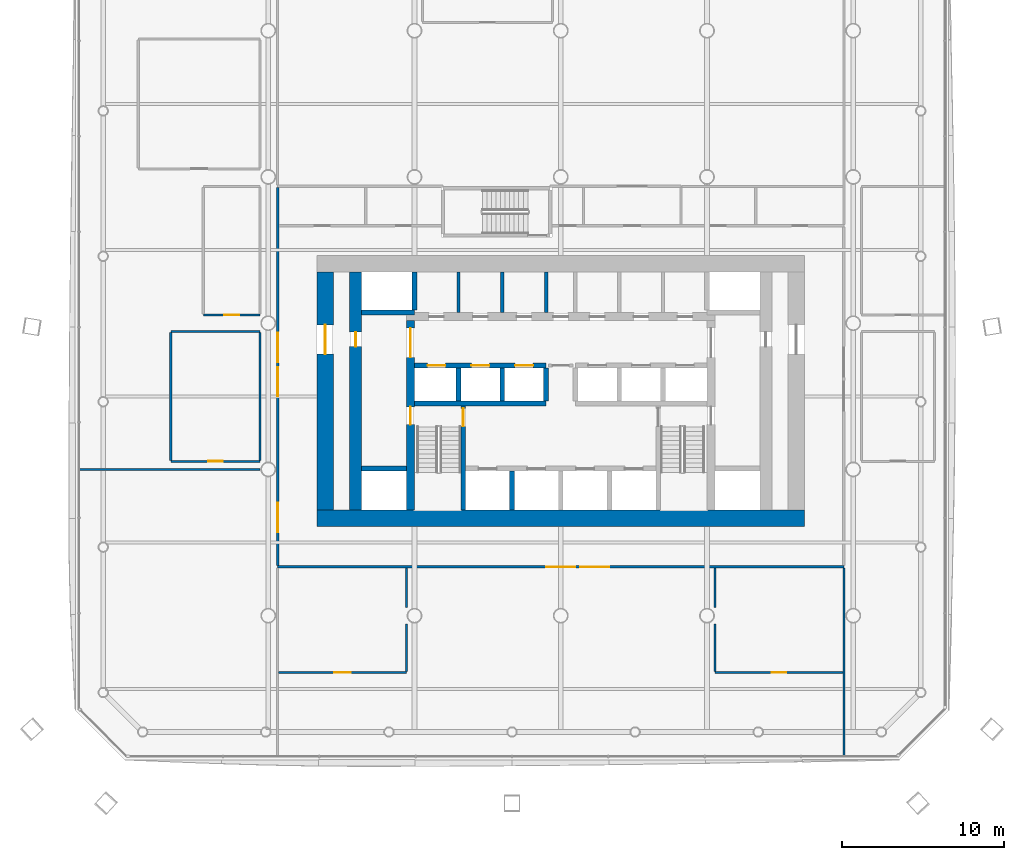
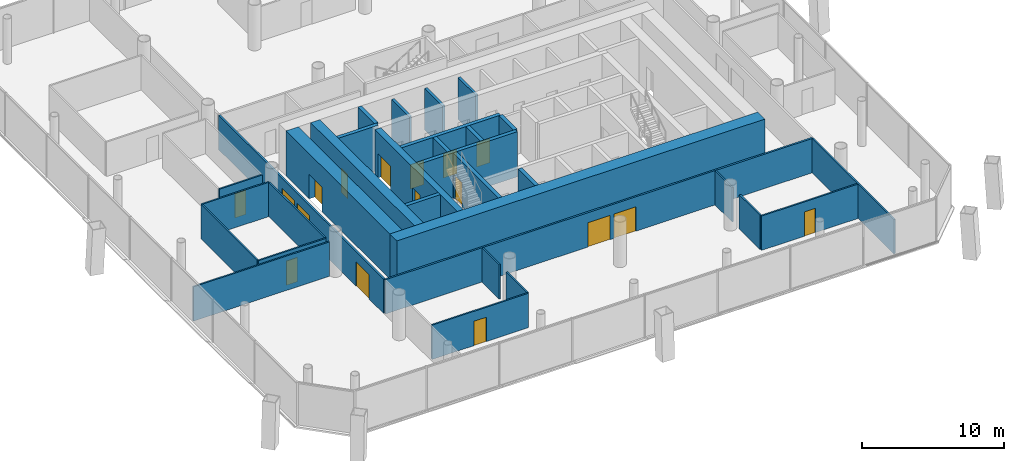
# One storey, part 13 of 21: 32 walls, 17 doors, 17 openings.
"""IFC4 building model written with IfcOpenShell, lengths in metres."""

from ifc_helpers import new_model, si_unit, direction, frame, frame_2d, origin, place, context, subcontext, project, spatial, rectangle, extrude, material, layer, layer_set, type_object, element, fill, save


model = new_model("IFC4")

# Units and contexts
model_context = context("Model", 3, precision=1e-05, world=origin(), true_north=direction((0.0, 1.0)))
body_context = subcontext(model_context, "Body", "Model", "MODEL_VIEW")
ifc_project = project(units=[si_unit("LENGTHUNIT", "METRE"), si_unit("AREAUNIT", "SQUARE_METRE"), si_unit("VOLUMEUNIT", "CUBIC_METRE"), si_unit("PLANEANGLEUNIT", "RADIAN"), si_unit("MASSUNIT", "GRAM", prefix="KILO")], contexts=[model_context])

# Site, building, storey
site_placement = place(None, origin())
site = spatial("IfcSite", under=ifc_project, at=site_placement, CompositionType="ELEMENT")
building_placement = place(site_placement, origin())
building = spatial("IfcBuilding", under=site, at=building_placement, Name="Tskaro Facet Tower", CompositionType="ELEMENT")
storey_placement = place(building_placement, frame((0.0, 0.0, 38.10009765625)))
storey = spatial("IfcBuildingStorey", under=building, at=storey_placement, Name="L08", CompositionType="ELEMENT", Elevation=38.10009765625)

# Walls
ifc_material_1 = material(Name="Concrete C60/75", Category="concrete")
ifc_layer_1 = layer(ifc_material_1, 0.300048828125, Name="Concrete C60/75")
ifc_layer_set_1 = layer_set([ifc_layer_1], Name="Concrete C60/75")
wall_type_1 = type_object("IfcWallType", Name="CORE-SHAFT", PredefinedType="SHEAR", material=ifc_layer_set_1)
wall_1_placement = place(storey_placement, frame((-12.25, -8.949951171875, 0.0), z_axis=(0.0, 0.0, 1.0), x_axis=(1.0, 0.0, 0.0)))
element("IfcWall", 1, at=wall_1_placement, inside=storey, type_object=wall_type_1, Name="Shaft wall W005", PredefinedType="SHEAR", context=body_context, shape_type="SweptSolid", body=[
    extrude(rectangle(XDim=2.75, YDim=0.300048828125, at=frame_2d((1.375, 0.0))), origin(), (0.0, 0.0, 1.0), 3.89990234375),
])
wall_2_placement = place(storey_placement, frame((-9.0, -4.949951171875, 0.0), z_axis=(0.0, 0.0, 1.0), x_axis=(1.0, 0.0, 0.0)))
element("IfcWall", 2, at=wall_2_placement, inside=storey, type_object=wall_type_1, Name="Shaft wall W010", PredefinedType="SHEAR", context=body_context, shape_type="SweptSolid", body=[
    extrude(rectangle(XDim=8.10009765625, YDim=0.300048828125, at=frame_2d((4.050048828125, 0.0))), origin(), (0.0, 0.0, 1.0), 3.89990234375),
])

# Wall, openings, doors
wall_3_placement = place(storey_placement, frame((-9.0, -2.60009765625, 0.0), z_axis=(0.0, 0.0, 1.0), x_axis=(1.0, 0.0, 0.0)))
wall_3 = element("IfcWall", 3, at=wall_3_placement, inside=storey, type_object=wall_type_1, Name="Shaft wall W012", PredefinedType="SHEAR", context=body_context, shape_type="SweptSolid", body=[
    extrude(rectangle(XDim=8.10009765625, YDim=0.300048828125, at=frame_2d((4.050048828125, 0.0))), origin(), (0.0, 0.0, 1.0), 3.89990234375),
])
opening_1_placement = place(wall_3_placement, frame((0.800048828125, 0.0, 0.0)))
opening_1 = element("IfcOpeningElement", 4, at=opening_1_placement, cuts=wall_3, Name="Opening LD-LR1", PredefinedType="OPENING", context=body_context, shape_type="SweptSolid", body=[
    extrude(rectangle(XDim=1.10009765625, YDim=2.10009765625, at=frame_2d((0.550048828125, 1.050048828125))), frame((0.0, 0.159912109375, 0.0), z_axis=(0.0, -1.0, 0.0), x_axis=(1.0, 0.0, 0.0)), (0.0, 0.0, 1.0), 0.320068359375),
])
opening_2_placement = place(wall_3_placement, frame((3.5, 0.0, 0.0)))
opening_2 = element("IfcOpeningElement", 5, at=opening_2_placement, cuts=wall_3, Name="Opening LD-LR2", PredefinedType="OPENING", context=body_context, shape_type="SweptSolid", body=[
    extrude(rectangle(XDim=1.10009765625, YDim=2.10009765625, at=frame_2d((0.550048828125, 1.050048828125))), frame((0.0, 0.159912109375, 0.0), z_axis=(0.0, -1.0, 0.0), x_axis=(1.0, 0.0, 0.0)), (0.0, 0.0, 1.0), 0.320068359375),
])
opening_3_placement = place(wall_3_placement, frame((6.199951171875, 0.0, 0.0)))
opening_3 = element("IfcOpeningElement", 6, at=opening_3_placement, cuts=wall_3, Name="Opening LD-LR3", PredefinedType="OPENING", context=body_context, shape_type="SweptSolid", body=[
    extrude(rectangle(XDim=1.10009765625, YDim=2.10009765625, at=frame_2d((0.550048828125, 1.050048828125))), frame((0.0, 0.159912109375, 0.0), z_axis=(0.0, -1.0, 0.0), x_axis=(1.0, 0.0, 0.0)), (0.0, 0.0, 1.0), 0.320068359375),
])
ifc_material_2 = material(Name="Stainless steel", Category="steel")
door_type_1 = type_object("IfcDoorType", Name="D-LANDING", OperationType="NOTDEFINED", PredefinedType="DOOR", material=ifc_material_2)
door_1_placement = place(opening_1_placement, origin())
door_1 = element("IfcDoor", 7, at=door_1_placement, inside=storey, type_object=door_type_1, Name="Landing door LR1", OperationType="DOUBLE_DOOR_SLIDING", OverallHeight=2.10009765625, OverallWidth=1.10009765625, PredefinedType="DOOR", context=body_context, shape_type="SweptSolid", body=[
    extrude(rectangle(XDim=1.10009765625, YDim=2.10009765625, at=frame_2d((0.550048828125, 1.050048828125))), frame((0.0, 0.02490234375, 0.0), z_axis=(0.0, -1.0, 0.0), x_axis=(1.0, 0.0, 0.0)), (0.0, 0.0, 1.0), 0.050048828125),
])
fill(opening_1, door_1)
door_2_placement = place(opening_2_placement, origin())
door_2 = element("IfcDoor", 8, at=door_2_placement, inside=storey, type_object=door_type_1, Name="Landing door LR2", OperationType="DOUBLE_DOOR_SLIDING", OverallHeight=2.10009765625, OverallWidth=1.10009765625, PredefinedType="DOOR", context=body_context, shape_type="SweptSolid", body=[
    extrude(rectangle(XDim=1.10009765625, YDim=2.10009765625, at=frame_2d((0.550048828125, 1.050048828125))), frame((0.0, 0.02490234375, 0.0), z_axis=(0.0, -1.0, 0.0), x_axis=(1.0, 0.0, 0.0)), (0.0, 0.0, 1.0), 0.050048828125),
])
fill(opening_2, door_2)
door_3_placement = place(opening_3_placement, origin())
door_3 = element("IfcDoor", 9, at=door_3_placement, inside=storey, type_object=door_type_1, Name="Landing door LR3", OperationType="DOUBLE_DOOR_SLIDING", OverallHeight=2.10009765625, OverallWidth=1.10009765625, PredefinedType="DOOR", context=body_context, shape_type="SweptSolid", body=[
    extrude(rectangle(XDim=1.10009765625, YDim=2.10009765625, at=frame_2d((0.550048828125, 1.050048828125))), frame((0.0, 0.02490234375, 0.0), z_axis=(0.0, -1.0, 0.0), x_axis=(1.0, 0.0, 0.0)), (0.0, 0.0, 1.0), 0.050048828125),
])
fill(opening_3, door_3)

# Walls
wall_4_placement = place(storey_placement, frame((-9.0, 0.64990234375, 0.0), z_axis=(0.0, 0.0, 1.0), x_axis=(-1.0, 0.0, 0.0)))
element("IfcWall", 10, at=wall_4_placement, inside=storey, type_object=wall_type_1, Name="Shaft wall W019", PredefinedType="SHEAR", context=body_context, shape_type="SweptSolid", body=[
    extrude(rectangle(XDim=3.25, YDim=0.300048828125, at=frame_2d((1.625, 0.0))), origin(), (0.0, 0.0, 1.0), 3.89990234375),
])
wall_5_placement = place(storey_placement, frame((-9.0, 0.800048828125, 0.0), z_axis=(0.0, 0.0, 1.0), x_axis=(0.0, 1.0, 0.0)))
element("IfcWall", 11, at=wall_5_placement, inside=storey, type_object=wall_type_1, Name="Shaft wall W046", PredefinedType="SHEAR", context=body_context, shape_type="SweptSolid", body=[
    extrude(rectangle(XDim=2.349853515625, YDim=0.300048828125, at=frame_2d((1.1748046875, 0.0))), origin(), (0.0, 0.0, 1.0), 3.89990234375),
])
wall_6_placement = place(storey_placement, frame((-6.300048828125, -4.800048828125, 0.0), z_axis=(0.0, 0.0, 1.0), x_axis=(0.0, 1.0, 0.0)))
element("IfcWall", 12, at=wall_6_placement, inside=storey, type_object=wall_type_1, Name="Shaft wall W049", PredefinedType="SHEAR", context=body_context, shape_type="SweptSolid", body=[
    extrude(rectangle(XDim=2.050048828125, YDim=0.300048828125, at=frame_2d((1.02490234375, 0.0))), origin(), (0.0, 0.0, 1.0), 3.89990234375),
])

# Wall, opening, door
wall_7_placement = place(storey_placement, frame((-6.0, -11.5, 0.0), z_axis=(0.0, 0.0, 1.0), x_axis=(0.0, 1.0, 0.0)))
wall_7 = element("IfcWall", 13, at=wall_7_placement, inside=storey, type_object=wall_type_1, Name="Shaft wall W051", PredefinedType="SHEAR", context=body_context, shape_type="SweptSolid", body=[
    extrude(rectangle(XDim=6.39990234375, YDim=0.300048828125, at=frame_2d((3.199951171875, 0.0))), origin(), (0.0, 0.0, 1.0), 3.89990234375),
])
opening_4_placement = place(wall_7_placement, frame((5.14990234375, 0.0, 0.0)))
opening_4 = element("IfcOpeningElement", 14, at=opening_4_placement, cuts=wall_7, Name="Opening ST-1-D1", PredefinedType="OPENING", context=body_context, shape_type="SweptSolid", body=[
    extrude(rectangle(XDim=1.10009765625, YDim=2.10009765625, at=frame_2d((0.550048828125, 1.050048828125))), frame((0.0, 0.159912109375, 0.0), z_axis=(0.0, -1.0, 0.0), x_axis=(1.0, 0.0, 0.0)), (0.0, 0.0, 1.0), 0.320068359375),
])
ifc_material_3 = material(Name="Steel", Category="steel")
door_type_2 = type_object("IfcDoorType", Name="D-STAIR", OperationType="NOTDEFINED", PredefinedType="DOOR", material=ifc_material_3)
door_4_placement = place(opening_4_placement, origin())
door_4 = element("IfcDoor", 15, at=door_4_placement, inside=storey, type_object=door_type_2, Name="Stair door 1", OperationType="SINGLE_SWING_LEFT", OverallHeight=2.10009765625, OverallWidth=1.10009765625, PredefinedType="DOOR", context=body_context, shape_type="SweptSolid", body=[
    extrude(rectangle(XDim=1.10009765625, YDim=2.10009765625, at=frame_2d((0.550048828125, 1.050048828125))), frame((0.0, 0.02490234375, 0.0), z_axis=(0.0, -1.0, 0.0), x_axis=(1.0, 0.0, 0.0)), (0.0, 0.0, 1.0), 0.050048828125),
])
fill(opening_4, door_4)

# Walls
wall_8_placement = place(storey_placement, frame((-3.60009765625, -4.800048828125, 0.0), z_axis=(0.0, 0.0, 1.0), x_axis=(0.0, 1.0, 0.0)))
element("IfcWall", 16, at=wall_8_placement, inside=storey, type_object=wall_type_1, Name="Shaft wall W052", PredefinedType="SHEAR", context=body_context, shape_type="SweptSolid", body=[
    extrude(rectangle(XDim=2.050048828125, YDim=0.300048828125, at=frame_2d((1.02490234375, 0.0))), origin(), (0.0, 0.0, 1.0), 3.89990234375),
])
wall_9_placement = place(storey_placement, frame((-3.0, -11.5, 0.0), z_axis=(0.0, 0.0, 1.0), x_axis=(0.0, 1.0, 0.0)))
element("IfcWall", 17, at=wall_9_placement, inside=storey, type_object=wall_type_1, Name="Shaft wall W054", PredefinedType="SHEAR", context=body_context, shape_type="SweptSolid", body=[
    extrude(rectangle(XDim=2.39990234375, YDim=0.300048828125, at=frame_2d((1.199951171875, 0.0))), origin(), (0.0, 0.0, 1.0), 3.89990234375),
])
wall_10_placement = place(storey_placement, frame((-0.89990234375, -4.800048828125, 0.0), z_axis=(0.0, 0.0, 1.0), x_axis=(0.0, 1.0, 0.0)))
element("IfcWall", 18, at=wall_10_placement, inside=storey, type_object=wall_type_1, Name="Shaft wall W055", PredefinedType="SHEAR", context=body_context, shape_type="SweptSolid", body=[
    extrude(rectangle(XDim=2.050048828125, YDim=0.300048828125, at=frame_2d((1.02490234375, 0.0))), origin(), (0.0, 0.0, 1.0), 3.89990234375),
])
ifc_material_4 = material(Name="Concrete C20/25", Category="concrete")
ifc_layer_2 = layer(ifc_material_4, 0.199951171875, Name="Concrete C20/25")
ifc_layer_set_2 = layer_set([ifc_layer_2], Name="Concrete C20/25")
wall_type_2 = type_object("IfcWallType", Name="CORE-WALL", PredefinedType="SOLIDWALL", material=ifc_layer_set_2)
for number, where, z_axis, x_axis, name in (
    (19, (-6.300048828125, 0.64990234375, 0.0), (0.0, 0.0, 1.0), (0.0, 1.0, 0.0), "Core room wall W050"),
    (20, (-3.60009765625, 0.64990234375, 0.0), (0.0, 0.0, 1.0), (0.0, 1.0, 0.0), "Core room wall W053"),
    (21, (-0.89990234375, 0.64990234375, 0.0), (0.0, 0.0, 1.0), (0.0, 1.0, 0.0), "Core room wall W056"),
):
    element("IfcWall", number, at=place(storey_placement, frame(where, z_axis=z_axis, x_axis=x_axis)), inside=storey, type_object=wall_type_2, Name=name, PredefinedType="SOLIDWALL", context=body_context, shape_type="SweptSolid", body=[
        extrude(rectangle(XDim=2.5, YDim=0.199951171875, at=frame_2d((1.25, 0.0))), origin(), (0.0, 0.0, 1.0), 3.599853515625),
    ])
ifc_layer_3 = layer(ifc_material_1, 1.0, Name="Concrete C60/75")
ifc_layer_set_3 = layer_set([ifc_layer_3], Name="Concrete C60/75")
wall_type_3 = type_object("IfcWallType", Name="Core wall 1000", PredefinedType="SHEAR", material=ifc_layer_set_3)
wall_11_placement = place(storey_placement, frame((-15.0, -12.0, 0.0), z_axis=(0.0, 0.0, 1.0), x_axis=(1.0, 0.0, 0.0)))
element("IfcWall", 22, at=wall_11_placement, inside=storey, type_object=wall_type_3, Name="Core wall CW-Z1S", PredefinedType="SHEAR", context=body_context, shape_type="SweptSolid", body=[
    extrude(rectangle(XDim=30.0, YDim=1.0, at=frame_2d((15.0, 0.0))), origin(), (0.0, 0.0, 1.0), 3.89990234375),
])

# Wall, opening, door
wall_12_placement = place(storey_placement, frame((-14.5, -11.5, 0.0), z_axis=(0.0, 0.0, 1.0), x_axis=(0.0, 1.0, 0.0)))
wall_12 = element("IfcWall", 23, at=wall_12_placement, inside=storey, type_object=wall_type_3, Name="Core wall CW-Z1W", PredefinedType="SHEAR", context=body_context, shape_type="SweptSolid", body=[
    extrude(rectangle(XDim=14.64990234375, YDim=1.0, at=frame_2d((7.324951171875, 0.0))), origin(), (0.0, 0.0, 1.0), 3.89990234375),
])
opening_5_placement = place(wall_12_placement, frame((9.60009765625, 0.0, 0.0)))
opening_5 = element("IfcOpeningElement", 24, at=opening_5_placement, cuts=wall_12, Name="Opening T2-D16", PredefinedType="OPENING", context=body_context, shape_type="SweptSolid", body=[
    extrude(rectangle(XDim=1.800048828125, YDim=2.10009765625, at=frame_2d((0.89990234375, 1.050048828125))), frame((0.0, 0.510009765625, 0.0), z_axis=(0.0, -1.0, 0.0), x_axis=(1.0, 0.0, 0.0)), (0.0, 0.0, 1.0), 1.02001953125),
])
door_type_3 = type_object("IfcDoorType", Name="D-CORE-PAIR", OperationType="NOTDEFINED", PredefinedType="DOOR", material=ifc_material_3)
door_5_placement = place(opening_5_placement, origin())
door_5 = element("IfcDoor", 25, at=door_5_placement, inside=storey, type_object=door_type_3, Name="Door T2-D16", OperationType="DOUBLE_DOOR_SINGLE_SWING", OverallHeight=2.10009765625, OverallWidth=1.800048828125, PredefinedType="DOOR", context=body_context, shape_type="SweptSolid", body=[
    extrude(rectangle(XDim=1.800048828125, YDim=2.10009765625, at=frame_2d((0.89990234375, 1.050048828125))), frame((0.0, 0.02490234375, 0.0), z_axis=(0.0, -1.0, 0.0), x_axis=(1.0, 0.0, 0.0)), (0.0, 0.0, 1.0), 0.050048828125),
])
fill(opening_5, door_5)

# Wall, openings, doors
ifc_material_5 = material(Name="Concrete C40/50", Category="concrete")
ifc_layer_4 = layer(ifc_material_5, 0.5, Name="Concrete C40/50")
ifc_layer_set_4 = layer_set([ifc_layer_4], Name="Concrete C40/50")
wall_type_4 = type_object("IfcWallType", Name="Core wall 500", PredefinedType="SHEAR", material=ifc_layer_set_4)
wall_13_placement = place(storey_placement, frame((-9.25, -11.5, 0.0), z_axis=(0.0, 0.0, 1.0), x_axis=(0.0, 1.0, 0.0)))
wall_13 = element("IfcWall", 26, at=wall_13_placement, inside=storey, type_object=wall_type_4, Name="Core wall CW-Z3W", PredefinedType="SHEAR", context=body_context, shape_type="SweptSolid", body=[
    extrude(rectangle(XDim=11.64990234375, YDim=0.5, at=frame_2d((5.824951171875, 0.0))), origin(), (0.0, 0.0, 1.0), 3.89990234375),
])
opening_6_placement = place(wall_13_placement, frame((9.39990234375, 0.0, 0.0)))
opening_6 = element("IfcOpeningElement", 27, at=opening_6_placement, cuts=wall_13, Name="Opening T2-D14", PredefinedType="OPENING", context=body_context, shape_type="SweptSolid", body=[
    extrude(rectangle(XDim=1.800048828125, YDim=2.10009765625, at=frame_2d((0.89990234375, 1.050048828125))), frame((0.0, 0.260009765625, 0.0), z_axis=(0.0, -1.0, 0.0), x_axis=(1.0, 0.0, 0.0)), (0.0, 0.0, 1.0), 0.52001953125),
])
opening_7_placement = place(wall_13_placement, frame((5.25, 0.0, 0.0)))
opening_7 = element("IfcOpeningElement", 28, at=opening_7_placement, cuts=wall_13, Name="Opening ST-1-D2", PredefinedType="OPENING", context=body_context, shape_type="SweptSolid", body=[
    extrude(rectangle(XDim=1.10009765625, YDim=2.10009765625, at=frame_2d((0.550048828125, 1.050048828125))), frame((0.0, 0.260009765625, 0.0), z_axis=(0.0, -1.0, 0.0), x_axis=(1.0, 0.0, 0.0)), (0.0, 0.0, 1.0), 0.52001953125),
])
door_6_placement = place(opening_6_placement, origin())
door_6 = element("IfcDoor", 29, at=door_6_placement, inside=storey, type_object=door_type_3, Name="Door T2-D14", OperationType="DOUBLE_DOOR_SINGLE_SWING", OverallHeight=2.10009765625, OverallWidth=1.800048828125, PredefinedType="DOOR", context=body_context, shape_type="SweptSolid", body=[
    extrude(rectangle(XDim=1.800048828125, YDim=2.10009765625, at=frame_2d((0.89990234375, 1.050048828125))), frame((0.0, 0.02490234375, 0.0), z_axis=(0.0, -1.0, 0.0), x_axis=(1.0, 0.0, 0.0)), (0.0, 0.0, 1.0), 0.050048828125),
])
fill(opening_6, door_6)
door_7_placement = place(opening_7_placement, origin())
door_7 = element("IfcDoor", 30, at=door_7_placement, inside=storey, type_object=door_type_2, Name="Stair door 1 west", OperationType="SINGLE_SWING_LEFT", OverallHeight=2.10009765625, OverallWidth=1.10009765625, PredefinedType="DOOR", context=body_context, shape_type="SweptSolid", body=[
    extrude(rectangle(XDim=1.10009765625, YDim=2.10009765625, at=frame_2d((0.550048828125, 1.050048828125))), frame((0.0, 0.02490234375, 0.0), z_axis=(0.0, -1.0, 0.0), x_axis=(1.0, 0.0, 0.0)), (0.0, 0.0, 1.0), 0.050048828125),
])
fill(opening_7, door_7)

# Wall, opening, door
ifc_material_6 = material(Name="Concrete C50/60", Category="concrete")
ifc_layer_5 = layer(ifc_material_6, 0.75, Name="Concrete C50/60")
ifc_layer_set_5 = layer_set([ifc_layer_5], Name="Concrete C50/60")
wall_type_5 = type_object("IfcWallType", Name="Core wall 750", PredefinedType="SHEAR", material=ifc_layer_set_5)
wall_14_placement = place(storey_placement, frame((-12.625, -11.5, 0.0), z_axis=(0.0, 0.0, 1.0), x_axis=(0.0, 1.0, 0.0)))
wall_14 = element("IfcWall", 31, at=wall_14_placement, inside=storey, type_object=wall_type_5, Name="Core wall CW-Z2W", PredefinedType="SHEAR", context=body_context, shape_type="SweptSolid", body=[
    extrude(rectangle(XDim=14.64990234375, YDim=0.75, at=frame_2d((7.324951171875, 0.0))), origin(), (0.0, 0.0, 1.0), 3.89990234375),
])
opening_8_placement = place(wall_14_placement, frame((10.050048828125, 0.0, 0.0)))
opening_8 = element("IfcOpeningElement", 32, at=opening_8_placement, cuts=wall_14, Name="Opening T2-D17", PredefinedType="OPENING", context=body_context, shape_type="SweptSolid", body=[
    extrude(rectangle(XDim=0.89990234375, YDim=2.10009765625, at=frame_2d((0.449951171875, 1.050048828125))), frame((0.0, 0.385009765625, 0.0), z_axis=(0.0, -1.0, 0.0), x_axis=(1.0, 0.0, 0.0)), (0.0, 0.0, 1.0), 0.77001953125),
])
ifc_material_7 = material(Name="Timber", Category="wood")
door_type_4 = type_object("IfcDoorType", Name="D-ROOM", OperationType="NOTDEFINED", PredefinedType="DOOR", material=ifc_material_7)
door_8_placement = place(opening_8_placement, origin())
door_8 = element("IfcDoor", 33, at=door_8_placement, inside=storey, type_object=door_type_4, Name="Door T2-D17", OperationType="SINGLE_SWING_LEFT", OverallHeight=2.10009765625, OverallWidth=0.89990234375, PredefinedType="DOOR", context=body_context, shape_type="SweptSolid", body=[
    extrude(rectangle(XDim=0.89990234375, YDim=2.10009765625, at=frame_2d((0.449951171875, 1.050048828125))), frame((0.0, 0.02490234375, 0.0), z_axis=(0.0, -1.0, 0.0), x_axis=(1.0, 0.0, 0.0)), (0.0, 0.0, 1.0), 0.050048828125),
])
fill(opening_8, door_8)

ifc_material_8 = material(Name="Gypsum board on steel studs", Category="steel")
ifc_layer_6 = layer(ifc_material_8, 0.125, Name="Gypsum board on steel studs")
ifc_layer_set_6 = layer_set([ifc_layer_6], Name="Gypsum board on steel studs")
wall_type_6 = type_object("IfcWallType", Name="PART", PredefinedType="PARTITIONING", material=ifc_layer_set_6)
wall_15_placement = place(storey_placement, frame((-17.362548828125, -21.5, 0.0), z_axis=(0.0, 0.0, 1.0), x_axis=(1.0, 0.0, 0.0)))
wall_15 = element("IfcWall", 34, at=wall_15_placement, inside=storey, type_object=wall_type_6, Name="Partition W001", PredefinedType="PARTITIONING", context=body_context, shape_type="SweptSolid", body=[
    extrude(rectangle(XDim=7.862548828125, YDim=0.125, at=frame_2d((3.93115234375, 0.0))), origin(), (0.0, 0.0, 1.0), 2.9599609375),
])
opening_9_placement = place(wall_15_placement, frame((3.43115234375, 0.0, 0.0)))
opening_9 = element("IfcOpeningElement", 35, at=opening_9_placement, cuts=wall_15, Name="Opening T2-D01", PredefinedType="OPENING", context=body_context, shape_type="SweptSolid", body=[
    extrude(rectangle(XDim=1.0, YDim=2.10009765625, at=frame_2d((0.5, 1.050048828125))), frame((0.0, 0.072509765625, 0.0), z_axis=(0.0, -1.0, 0.0), x_axis=(1.0, 0.0, 0.0)), (0.0, 0.0, 1.0), 0.14501953125),
])
door_type_5 = type_object("IfcDoorType", Name="D-ROOM-WIDE", OperationType="NOTDEFINED", PredefinedType="DOOR", material=ifc_material_7)
door_9_placement = place(opening_9_placement, origin())
door_9 = element("IfcDoor", 36, at=door_9_placement, inside=storey, type_object=door_type_5, Name="Door T2-D01", OperationType="SINGLE_SWING_LEFT", OverallHeight=2.10009765625, OverallWidth=1.0, PredefinedType="DOOR", context=body_context, shape_type="SweptSolid", body=[
    extrude(rectangle(XDim=1.0, YDim=2.10009765625, at=frame_2d((0.5, 1.050048828125))), frame((0.0, 0.02490234375, 0.0), z_axis=(0.0, -1.0, 0.0), x_axis=(1.0, 0.0, 0.0)), (0.0, 0.0, 1.0), 0.050048828125),
])
fill(opening_9, door_9)

wall_16_placement = place(storey_placement, frame((9.5, -21.5, 0.0), z_axis=(0.0, 0.0, 1.0), x_axis=(1.0, 0.0, 0.0)))
wall_16 = element("IfcWall", 37, at=wall_16_placement, inside=storey, type_object=wall_type_6, Name="Partition W002", PredefinedType="PARTITIONING", context=body_context, shape_type="SweptSolid", body=[
    extrude(rectangle(XDim=7.862548828125, YDim=0.125, at=frame_2d((3.93115234375, 0.0))), origin(), (0.0, 0.0, 1.0), 2.9599609375),
])
opening_10_placement = place(wall_16_placement, frame((3.481201171875, 0.0, 0.0)))
opening_10 = element("IfcOpeningElement", 38, at=opening_10_placement, cuts=wall_16, Name="Opening T2-D02", PredefinedType="OPENING", context=body_context, shape_type="SweptSolid", body=[
    extrude(rectangle(XDim=0.89990234375, YDim=2.10009765625, at=frame_2d((0.449951171875, 1.050048828125))), frame((0.0, 0.072509765625, 0.0), z_axis=(0.0, -1.0, 0.0), x_axis=(1.0, 0.0, 0.0)), (0.0, 0.0, 1.0), 0.14501953125),
])
door_10_placement = place(opening_10_placement, origin())
door_10 = element("IfcDoor", 39, at=door_10_placement, inside=storey, type_object=door_type_4, Name="Door T2-D02", OperationType="SINGLE_SWING_LEFT", OverallHeight=2.10009765625, OverallWidth=0.89990234375, PredefinedType="DOOR", context=body_context, shape_type="SweptSolid", body=[
    extrude(rectangle(XDim=0.89990234375, YDim=2.10009765625, at=frame_2d((0.449951171875, 1.050048828125))), frame((0.0, 0.02490234375, 0.0), z_axis=(0.0, -1.0, 0.0), x_axis=(1.0, 0.0, 0.0)), (0.0, 0.0, 1.0), 0.050048828125),
])
fill(opening_10, door_10)

# Wall
wall_17_placement = place(storey_placement, frame((-29.60400390625, -9.0, 0.0), z_axis=(0.0, 0.0, 1.0), x_axis=(1.0, 0.0, 0.0)))
element("IfcWall", 40, at=wall_17_placement, inside=storey, type_object=wall_type_6, Name="Partition W004", PredefinedType="PARTITIONING", context=body_context, shape_type="SweptSolid", body=[
    extrude(rectangle(XDim=11.10400390625, YDim=0.125, at=frame_2d((5.552001953125, 0.0))), origin(), (0.0, 0.0, 1.0), 2.9599609375),
])

# Wall, opening, door
wall_18_placement = place(storey_placement, frame((-24.0, -8.5, 0.0), z_axis=(0.0, 0.0, 1.0), x_axis=(1.0, 0.0, 0.0)))
wall_18 = element("IfcWall", 41, at=wall_18_placement, inside=storey, type_object=wall_type_6, Name="Partition W008", PredefinedType="PARTITIONING", context=body_context, shape_type="SweptSolid", body=[
    extrude(rectangle(XDim=5.5, YDim=0.125, at=frame_2d((2.75, 0.0))), origin(), (0.0, 0.0, 1.0), 2.9599609375),
])
opening_11_placement = place(wall_18_placement, frame((2.300048828125, 0.0, 0.0)))
opening_11 = element("IfcOpeningElement", 42, at=opening_11_placement, cuts=wall_18, Name="Opening T2-D08", PredefinedType="OPENING", context=body_context, shape_type="SweptSolid", body=[
    extrude(rectangle(XDim=0.89990234375, YDim=2.10009765625, at=frame_2d((0.449951171875, 1.050048828125))), frame((0.0, 0.072509765625, 0.0), z_axis=(0.0, -1.0, 0.0), x_axis=(1.0, 0.0, 0.0)), (0.0, 0.0, 1.0), 0.14501953125),
])
door_11_placement = place(opening_11_placement, origin())
door_11 = element("IfcDoor", 43, at=door_11_placement, inside=storey, type_object=door_type_4, Name="Door T2-D08", OperationType="SINGLE_SWING_LEFT", OverallHeight=2.10009765625, OverallWidth=0.89990234375, PredefinedType="DOOR", context=body_context, shape_type="SweptSolid", body=[
    extrude(rectangle(XDim=0.89990234375, YDim=2.10009765625, at=frame_2d((0.449951171875, 1.050048828125))), frame((0.0, 0.02490234375, 0.0), z_axis=(0.0, -1.0, 0.0), x_axis=(1.0, 0.0, 0.0)), (0.0, 0.0, 1.0), 0.050048828125),
])
fill(opening_11, door_11)

# Wall
wall_19_placement = place(storey_placement, frame((-24.0, -0.5, 0.0), z_axis=(0.0, 0.0, 1.0), x_axis=(1.0, 0.0, 0.0)))
element("IfcWall", 44, at=wall_19_placement, inside=storey, type_object=wall_type_6, Name="Partition W015", PredefinedType="PARTITIONING", context=body_context, shape_type="SweptSolid", body=[
    extrude(rectangle(XDim=5.5, YDim=0.125, at=frame_2d((2.75, 0.0))), origin(), (0.0, 0.0, 1.0), 2.9599609375),
])

# Wall, opening, door
wall_20_placement = place(storey_placement, frame((-22.0, 0.5, 0.0), z_axis=(0.0, 0.0, 1.0), x_axis=(1.0, 0.0, 0.0)))
wall_20 = element("IfcWall", 45, at=wall_20_placement, inside=storey, type_object=wall_type_6, Name="Partition W017", PredefinedType="PARTITIONING", context=body_context, shape_type="SweptSolid", body=[
    extrude(rectangle(XDim=3.5, YDim=0.125, at=frame_2d((1.75, 0.0))), origin(), (0.0, 0.0, 1.0), 2.9599609375),
])
opening_12_placement = place(wall_20_placement, frame((1.300048828125, 0.0, 0.0)))
opening_12 = element("IfcOpeningElement", 46, at=opening_12_placement, cuts=wall_20, Name="Opening T2-D27", PredefinedType="OPENING", context=body_context, shape_type="SweptSolid", body=[
    extrude(rectangle(XDim=0.89990234375, YDim=2.10009765625, at=frame_2d((0.449951171875, 1.050048828125))), frame((0.0, 0.072509765625, 0.0), z_axis=(0.0, -1.0, 0.0), x_axis=(1.0, 0.0, 0.0)), (0.0, 0.0, 1.0), 0.14501953125),
])
door_12_placement = place(opening_12_placement, origin())
door_12 = element("IfcDoor", 47, at=door_12_placement, inside=storey, type_object=door_type_4, Name="Door T2-D27", OperationType="SINGLE_SWING_LEFT", OverallHeight=2.10009765625, OverallWidth=0.89990234375, PredefinedType="DOOR", context=body_context, shape_type="SweptSolid", body=[
    extrude(rectangle(XDim=0.89990234375, YDim=2.10009765625, at=frame_2d((0.449951171875, 1.050048828125))), frame((0.0, 0.02490234375, 0.0), z_axis=(0.0, -1.0, 0.0), x_axis=(1.0, 0.0, 0.0)), (0.0, 0.0, 1.0), 0.050048828125),
])
fill(opening_12, door_12)

# Walls
for number, where, z_axis, x_axis, name in (
    (48, (-24.0, -8.4375, 0.0), (0.0, 0.0, 1.0), (0.0, 1.0, 0.0), "Partition W035"),
    (49, (-18.5, -8.4375, 0.0), (0.0, 0.0, 1.0), (0.0, 1.0, 0.0), "Partition W037"),
):
    element("IfcWall", number, at=place(storey_placement, frame(where, z_axis=z_axis, x_axis=x_axis)), inside=storey, type_object=wall_type_6, Name=name, PredefinedType="PARTITIONING", context=body_context, shape_type="SweptSolid", body=[
        extrude(rectangle(XDim=7.875, YDim=0.125, at=frame_2d((3.9375, 0.0))), origin(), (0.0, 0.0, 1.0), 2.9599609375),
    ])
wall_21_placement = place(storey_placement, frame((-9.5, -21.4375, 0.0), z_axis=(0.0, 0.0, 1.0), x_axis=(0.0, 1.0, 0.0)))
element("IfcWall", 50, at=wall_21_placement, inside=storey, type_object=wall_type_6, Name="Partition W044", PredefinedType="PARTITIONING", context=body_context, shape_type="SweptSolid", body=[
    extrude(rectangle(XDim=2.9375, YDim=0.125, at=frame_2d((1.46875, 0.0))), origin(), (0.0, 0.0, 1.0), 2.9599609375),
])
wall_22_placement = place(storey_placement, frame((-9.5, -17.5, 0.0), z_axis=(0.0, 0.0, 1.0), x_axis=(0.0, 1.0, 0.0)))
element("IfcWall", 51, at=wall_22_placement, inside=storey, type_object=wall_type_6, Name="Partition W045", PredefinedType="PARTITIONING", context=body_context, shape_type="SweptSolid", body=[
    extrude(rectangle(XDim=2.425048828125, YDim=0.125, at=frame_2d((1.21240234375, 0.0))), origin(), (0.0, 0.0, 1.0), 2.9599609375),
])
wall_23_placement = place(storey_placement, frame((9.5, -21.4375, 0.0), z_axis=(0.0, 0.0, 1.0), x_axis=(0.0, 1.0, 0.0)))
element("IfcWall", 52, at=wall_23_placement, inside=storey, type_object=wall_type_6, Name="Partition W071", PredefinedType="PARTITIONING", context=body_context, shape_type="SweptSolid", body=[
    extrude(rectangle(XDim=2.9375, YDim=0.125, at=frame_2d((1.46875, 0.0))), origin(), (0.0, 0.0, 1.0), 2.9599609375),
])
wall_24_placement = place(storey_placement, frame((9.5, -17.5, 0.0), z_axis=(0.0, 0.0, 1.0), x_axis=(0.0, 1.0, 0.0)))
element("IfcWall", 53, at=wall_24_placement, inside=storey, type_object=wall_type_6, Name="Partition W072", PredefinedType="PARTITIONING", context=body_context, shape_type="SweptSolid", body=[
    extrude(rectangle(XDim=2.425048828125, YDim=0.125, at=frame_2d((1.21240234375, 0.0))), origin(), (0.0, 0.0, 1.0), 2.9599609375),
])
wall_25_placement = place(storey_placement, frame((17.425048828125, -26.60400390625, 0.0), z_axis=(0.0, 0.0, 1.0), x_axis=(0.0, 1.0, 0.0)))
element("IfcWall", 54, at=wall_25_placement, inside=storey, type_object=wall_type_6, Name="Partition W074", PredefinedType="PARTITIONING", context=body_context, shape_type="SweptSolid", body=[
    extrude(rectangle(XDim=11.529052734375, YDim=0.125, at=frame_2d((5.7646484375, 0.0))), origin(), (0.0, 0.0, 1.0), 2.9599609375),
])

# Wall, openings, doors
ifc_layer_7 = layer(ifc_material_8, 0.14990234375, Name="Gypsum board on steel studs")
ifc_layer_set_7 = layer_set([ifc_layer_7], Name="Gypsum board on steel studs")
wall_type_7 = type_object("IfcWallType", Name="PART-CORR", PredefinedType="PARTITIONING", material=ifc_layer_set_7)
wall_26_placement = place(storey_placement, frame((-17.425048828125, -15.0, 0.0), z_axis=(0.0, 0.0, 1.0), x_axis=(1.0, 0.0, 0.0)))
wall_26 = element("IfcWall", 55, at=wall_26_placement, inside=storey, type_object=wall_type_7, Name="Corridor wall W003", PredefinedType="PARTITIONING", context=body_context, shape_type="SweptSolid", body=[
    extrude(rectangle(XDim=34.85009765625, YDim=0.14990234375, at=frame_2d((17.425048828125, 0.0))), origin(), (0.0, 0.0, 1.0), 2.9599609375),
])
opening_13_placement = place(wall_26_placement, frame((16.52490234375, 0.0, 0.0)))
opening_13 = element("IfcOpeningElement", 56, at=opening_13_placement, cuts=wall_26, Name="Opening T2-D03", PredefinedType="OPENING", context=body_context, shape_type="SweptSolid", body=[
    extrude(rectangle(XDim=1.800048828125, YDim=2.10009765625, at=frame_2d((0.89990234375, 1.050048828125))), frame((0.0, 0.0849609375, 0.0), z_axis=(0.0, -1.0, 0.0), x_axis=(1.0, 0.0, 0.0)), (0.0, 0.0, 1.0), 0.169921875),
])
opening_14_placement = place(wall_26_placement, frame((18.625, 0.0, 0.0)))
opening_14 = element("IfcOpeningElement", 57, at=opening_14_placement, cuts=wall_26, Name="Opening T2-D04", PredefinedType="OPENING", context=body_context, shape_type="SweptSolid", body=[
    extrude(rectangle(XDim=1.800048828125, YDim=2.10009765625, at=frame_2d((0.89990234375, 1.050048828125))), frame((0.0, 0.0849609375, 0.0), z_axis=(0.0, -1.0, 0.0), x_axis=(1.0, 0.0, 0.0)), (0.0, 0.0, 1.0), 0.169921875),
])
ifc_material_9 = material(Name="Glass", Category="glass")
door_type_6 = type_object("IfcDoorType", Name="D-ENTRY-PAIR", OperationType="NOTDEFINED", PredefinedType="DOOR", material=ifc_material_9)
door_13_placement = place(opening_13_placement, origin())
door_13 = element("IfcDoor", 58, at=door_13_placement, inside=storey, type_object=door_type_6, Name="Door T2-D03", OperationType="DOUBLE_DOOR_SINGLE_SWING", OverallHeight=2.10009765625, OverallWidth=1.800048828125, PredefinedType="DOOR", context=body_context, shape_type="SweptSolid", body=[
    extrude(rectangle(XDim=1.800048828125, YDim=2.10009765625, at=frame_2d((0.89990234375, 1.050048828125))), frame((0.0, 0.02490234375, 0.0), z_axis=(0.0, -1.0, 0.0), x_axis=(1.0, 0.0, 0.0)), (0.0, 0.0, 1.0), 0.050048828125),
])
fill(opening_13, door_13)
door_14_placement = place(opening_14_placement, origin())
door_14 = element("IfcDoor", 59, at=door_14_placement, inside=storey, type_object=door_type_6, Name="Door T2-D04", OperationType="DOUBLE_DOOR_SINGLE_SWING", OverallHeight=2.10009765625, OverallWidth=1.800048828125, PredefinedType="DOOR", context=body_context, shape_type="SweptSolid", body=[
    extrude(rectangle(XDim=1.800048828125, YDim=2.10009765625, at=frame_2d((0.89990234375, 1.050048828125))), frame((0.0, 0.02490234375, 0.0), z_axis=(0.0, -1.0, 0.0), x_axis=(1.0, 0.0, 0.0)), (0.0, 0.0, 1.0), 0.050048828125),
])
fill(opening_14, door_14)

wall_27_placement = place(storey_placement, frame((-17.425048828125, 8.35009765625, 0.0), z_axis=(0.0, 0.0, 1.0), x_axis=(0.0, -1.0, 0.0)))
wall_27 = element("IfcWall", 60, at=wall_27_placement, inside=storey, type_object=wall_type_7, Name="Corridor wall W041", PredefinedType="PARTITIONING", context=body_context, shape_type="SweptSolid", body=[
    extrude(rectangle(XDim=23.275146484375, YDim=0.14990234375, at=frame_2d((11.6376953125, 0.0))), origin(), (0.0, 0.0, 1.0), 2.9599609375),
])
opening_15_placement = place(wall_27_placement, frame((19.41259765625, 0.0, 0.0)))
opening_15 = element("IfcOpeningElement", 61, at=opening_15_placement, cuts=wall_27, Name="Opening T2-D05", PredefinedType="OPENING", context=body_context, shape_type="SweptSolid", body=[
    extrude(rectangle(XDim=1.800048828125, YDim=2.10009765625, at=frame_2d((0.89990234375, 1.050048828125))), frame((0.0, 0.0849609375, 0.0), z_axis=(0.0, -1.0, 0.0), x_axis=(1.0, 0.0, 0.0)), (0.0, 0.0, 1.0), 0.169921875),
])
opening_16_placement = place(wall_27_placement, frame((8.949951171875, 0.0, 0.0)))
opening_16 = element("IfcOpeningElement", 62, at=opening_16_placement, cuts=wall_27, Name="Opening T2-D13", PredefinedType="OPENING", context=body_context, shape_type="SweptSolid", body=[
    extrude(rectangle(XDim=1.800048828125, YDim=2.10009765625, at=frame_2d((0.89990234375, 1.050048828125))), frame((0.0, 0.0849609375, 0.0), z_axis=(0.0, -1.0, 0.0), x_axis=(1.0, 0.0, 0.0)), (0.0, 0.0, 1.0), 0.169921875),
])
opening_17_placement = place(wall_27_placement, frame((11.050048828125, 0.0, 0.0)))
opening_17 = element("IfcOpeningElement", 63, at=opening_17_placement, cuts=wall_27, Name="Opening T2-D11", PredefinedType="OPENING", context=body_context, shape_type="SweptSolid", body=[
    extrude(rectangle(XDim=1.800048828125, YDim=2.10009765625, at=frame_2d((0.89990234375, 1.050048828125))), frame((0.0, 0.0849609375, 0.0), z_axis=(0.0, -1.0, 0.0), x_axis=(1.0, 0.0, 0.0)), (0.0, 0.0, 1.0), 0.169921875),
])
door_15_placement = place(opening_15_placement, origin())
door_15 = element("IfcDoor", 64, at=door_15_placement, inside=storey, type_object=door_type_6, Name="Door T2-D05", OperationType="DOUBLE_DOOR_SINGLE_SWING", OverallHeight=2.10009765625, OverallWidth=1.800048828125, PredefinedType="DOOR", context=body_context, shape_type="SweptSolid", body=[
    extrude(rectangle(XDim=1.800048828125, YDim=2.10009765625, at=frame_2d((0.89990234375, 1.050048828125))), frame((0.0, 0.02490234375, 0.0), z_axis=(0.0, -1.0, 0.0), x_axis=(1.0, 0.0, 0.0)), (0.0, 0.0, 1.0), 0.050048828125),
])
fill(opening_15, door_15)
door_16_placement = place(opening_16_placement, origin())
door_16 = element("IfcDoor", 65, at=door_16_placement, inside=storey, type_object=door_type_6, Name="Door T2-D13", OperationType="DOUBLE_DOOR_SINGLE_SWING", OverallHeight=2.10009765625, OverallWidth=1.800048828125, PredefinedType="DOOR", context=body_context, shape_type="SweptSolid", body=[
    extrude(rectangle(XDim=1.800048828125, YDim=2.10009765625, at=frame_2d((0.89990234375, 1.050048828125))), frame((0.0, 0.02490234375, 0.0), z_axis=(0.0, -1.0, 0.0), x_axis=(1.0, 0.0, 0.0)), (0.0, 0.0, 1.0), 0.050048828125),
])
fill(opening_16, door_16)
door_17_placement = place(opening_17_placement, origin())
door_17 = element("IfcDoor", 66, at=door_17_placement, inside=storey, type_object=door_type_6, Name="Door T2-D11", OperationType="DOUBLE_DOOR_SINGLE_SWING", OverallHeight=2.10009765625, OverallWidth=1.800048828125, PredefinedType="DOOR", context=body_context, shape_type="SweptSolid", body=[
    extrude(rectangle(XDim=1.800048828125, YDim=2.10009765625, at=frame_2d((0.89990234375, 1.050048828125))), frame((0.0, 0.02490234375, 0.0), z_axis=(0.0, -1.0, 0.0), x_axis=(1.0, 0.0, 0.0)), (0.0, 0.0, 1.0), 0.050048828125),
])
fill(opening_17, door_17)

save(model, "model.ifc")
